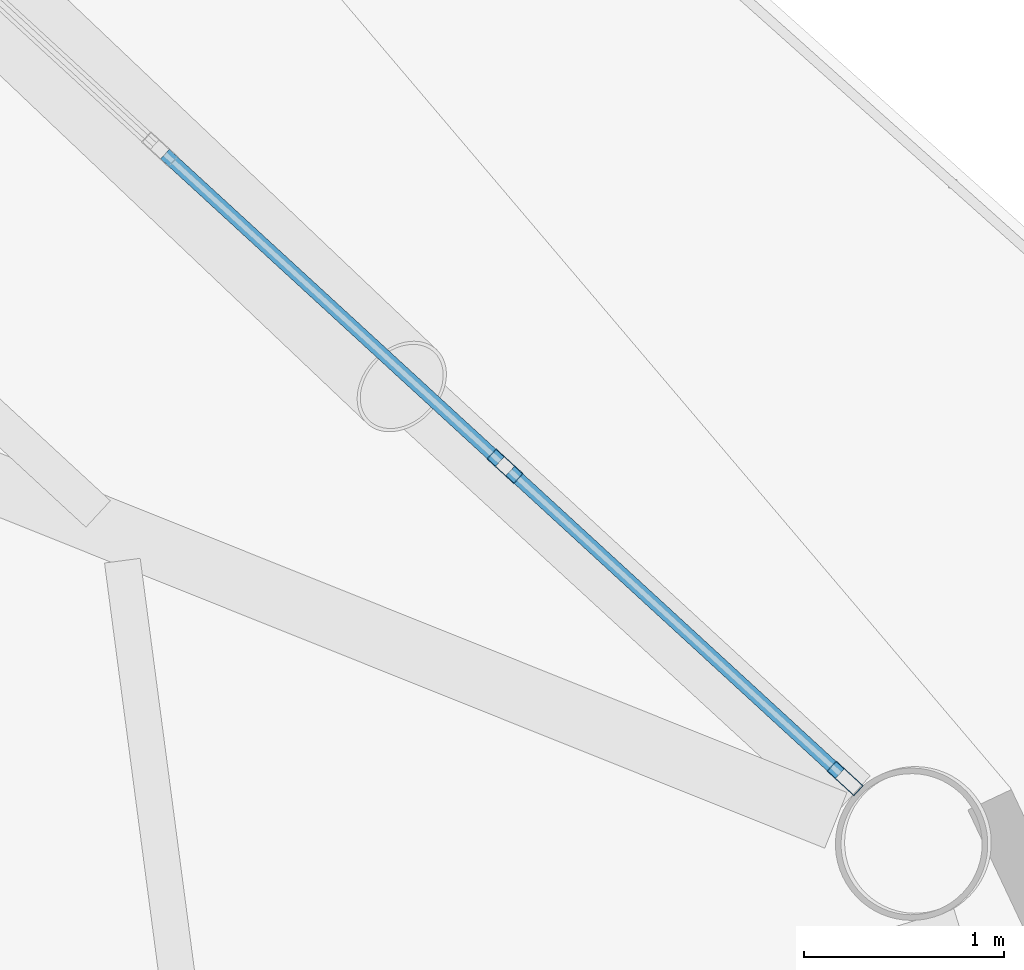
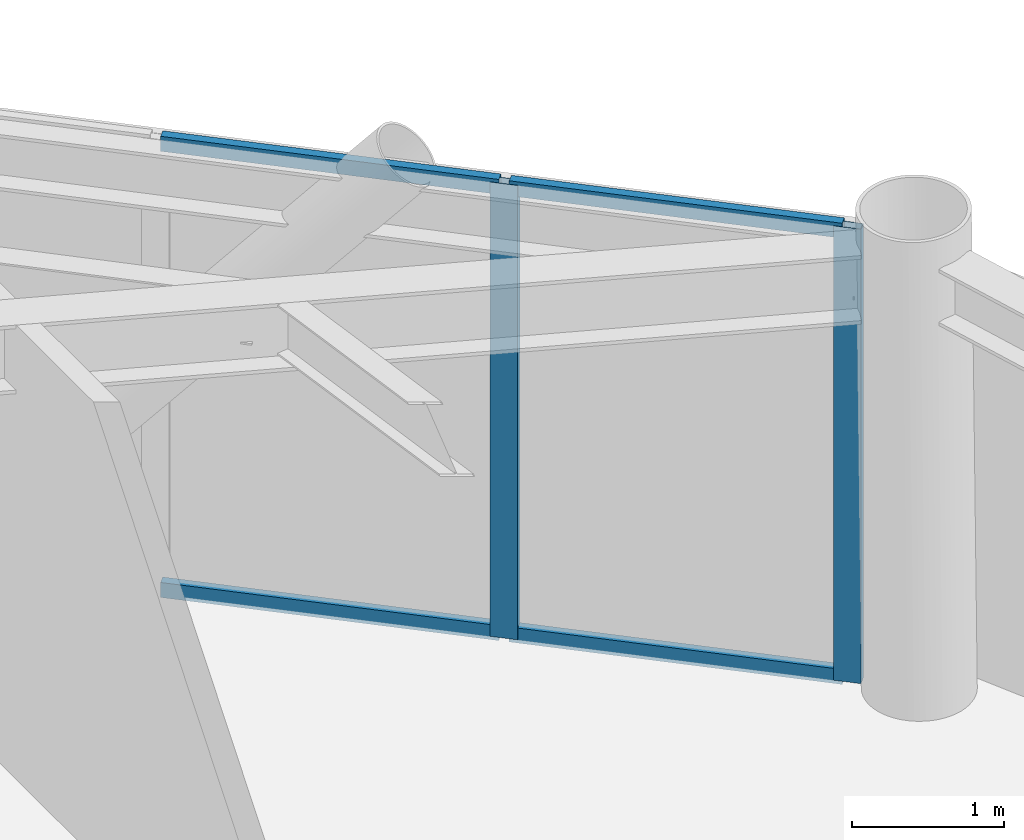
# One storey, part 14 of 23: 6 members, 1 element without a shape of its own.
"""IFC4 building model written with IfcOpenShell, lengths in metres."""

from ifc_helpers import new_model, si_unit, direction, frame, origin, origin_2d, place, context, subcontext, project, spatial, hollow_rectangle, extrude, material, layer, layer_set, material_profile, profile_set, type_object, element, aggregate, save


model = new_model("IFC4")

# Units and contexts
model_context = context("Model", 3, precision=1e-05, world=origin(), true_north=direction((0.0, 1.0)))
body_context = subcontext(model_context, "Body", "Model", "MODEL_VIEW")
ifc_project = project(units=[si_unit("LENGTHUNIT", "METRE"), si_unit("AREAUNIT", "SQUARE_METRE"), si_unit("VOLUMEUNIT", "CUBIC_METRE"), si_unit("PLANEANGLEUNIT", "RADIAN"), si_unit("MASSUNIT", "GRAM", prefix="KILO")], contexts=[model_context])

# Site, building, storey
site_placement = place(None, origin())
site = spatial("IfcSite", under=ifc_project, at=site_placement, CompositionType="ELEMENT")
building_placement = place(site_placement, origin())
building = spatial("IfcBuilding", under=site, at=building_placement, Name="Varnakorn Sky Granary", CompositionType="ELEMENT")
storey_placement = place(building_placement, frame((0.0, 0.0, 150.0)))
storey = spatial("IfcBuildingStorey", under=building, at=storey_placement, Name="L37", CompositionType="ELEMENT", Elevation=150.0)

# Curtain wall, members
ifc_material = material(Name="Anodised Bronze Aluminium Alloy 6063-T6", Category="aluminium")
ifc_layer = layer(ifc_material, 0.179931640625, Name="Anodised Bronze Aluminium Alloy 6063-T6")
ifc_layer_set = layer_set([ifc_layer], Name="Anodised Bronze Aluminium Alloy 6063-T6")
curtain_wall_type = type_object("IfcCurtainWallType", Name="CW-FRM-2", PredefinedType="USERDEFINED", material=ifc_layer_set)
curtain_wall_placement = place(storey_placement, origin())
curtain_wall = element("IfcCurtainWall", 1, at=curtain_wall_placement, inside=storey, type_object=curtain_wall_type, Name="Unitised Curtain Wall CW4 CW-L37-B02", ObjectType="CURTAIN WALL", PredefinedType="USERDEFINED")
ifc_material_profile_1 = material_profile(ifc_material, hollow_rectangle(XDim=0.070068359375, YDim=0.18505859375, WallThickness=0.00390625, at=origin_2d()), Name="ALU MULL 70x185")
ifc_profile_set_1 = profile_set([ifc_material_profile_1], Name="Anodised Bronze Aluminium Alloy 6063-T6")
member_type_1 = type_object("IfcMemberType", Name="CW-FRM-2-MULL", PredefinedType="MULLION", material=ifc_profile_set_1)
member_1_placement = place(storey_placement, frame((14.329833984375, 11.35986328125, 0.0), z_axis=(0.0, 0.0, 1.0), x_axis=(0.676226227357, 0.736694027012, 0.0)))
member_1 = element("IfcMember", 2, at=member_1_placement, type_object=member_type_1, Name="CW4 mullion 4", PredefinedType="MULLION", context=body_context, shape_type="SweptSolid", body=[
    extrude(hollow_rectangle(XDim=0.070068359375, YDim=0.18505859375, WallThickness=0.00390625, at=origin_2d()), origin(), (0.0, 0.0, 1.0), 3.639892578125),
])
member_2_placement = place(storey_placement, frame((16.031005859375, 9.79833984375, 0.0), z_axis=(0.0, 0.0, 1.0), x_axis=(0.676226227357, 0.736694027012, 0.0)))
member_2 = element("IfcMember", 3, at=member_2_placement, type_object=member_type_1, Name="CW4 mullion 5", PredefinedType="MULLION", context=body_context, shape_type="SweptSolid", body=[
    extrude(hollow_rectangle(XDim=0.070068359375, YDim=0.18505859375, WallThickness=0.00390625, at=origin_2d()), origin(), (0.0, 0.0, 1.0), 3.639892578125),
])
ifc_material_profile_2 = material_profile(ifc_material, hollow_rectangle(XDim=0.06494140625, YDim=0.1201171875, WallThickness=0.00341796875, at=origin_2d()), Name="ALU TRAN 65x120")
ifc_profile_set_2 = profile_set([ifc_material_profile_2], Name="Anodised Bronze Aluminium Alloy 6063-T6")
member_type_2 = type_object("IfcMemberType", Name="CW-FRM-2-TRAN", PredefinedType="USERDEFINED", material=ifc_profile_set_2)
member_3_placement = place(storey_placement, frame((12.628662109375, 12.92138671875, 0.032470703125), z_axis=(0.736681590659, -0.676239775512, 0.0), x_axis=(0.676239775512, 0.736681590659, 0.0)))
member_3 = element("IfcMember", 4, at=member_3_placement, type_object=member_type_2, Name="CW4 transom 3.1", ObjectType="TRANSOM", PredefinedType="USERDEFINED", context=body_context, shape_type="SweptSolid", body=[
    extrude(hollow_rectangle(XDim=0.06494140625, YDim=0.1201171875, WallThickness=0.00341796875, at=origin_2d()), origin(), (0.0, 0.0, 1.0), 2.274169921875),
])
member_4_placement = place(storey_placement, frame((12.628662109375, 12.92138671875, 3.607421875), z_axis=(0.736681590659, -0.676239775512, 0.0), x_axis=(0.676239775512, 0.736681590659, 0.0)))
member_4 = element("IfcMember", 5, at=member_4_placement, type_object=member_type_2, Name="CW4 transom 3.2", ObjectType="TRANSOM", PredefinedType="USERDEFINED", context=body_context, shape_type="SweptSolid", body=[
    extrude(hollow_rectangle(XDim=0.06494140625, YDim=0.1201171875, WallThickness=0.00341796875, at=origin_2d()), origin(), (0.0, 0.0, 1.0), 2.274169921875),
])
member_5_placement = place(storey_placement, frame((14.355712890625, 11.336181640625, 0.032470703125), z_axis=(0.73666512499, -0.676257712432, 0.0), x_axis=(0.676257712432, 0.73666512499, 0.0)))
member_5 = element("IfcMember", 6, at=member_5_placement, type_object=member_type_2, Name="CW4 transom 4.1", ObjectType="TRANSOM", PredefinedType="USERDEFINED", context=body_context, shape_type="SweptSolid", body=[
    extrude(hollow_rectangle(XDim=0.06494140625, YDim=0.1201171875, WallThickness=0.00341796875, at=origin_2d()), origin(), (0.0, 0.0, 1.0), 2.239013671875),
])
member_6_placement = place(storey_placement, frame((14.355712890625, 11.336181640625, 3.607421875), z_axis=(0.73666512499, -0.676257712432, 0.0), x_axis=(0.676257712432, 0.73666512499, 0.0)))
member_6 = element("IfcMember", 7, at=member_6_placement, type_object=member_type_2, Name="CW4 transom 4.2", ObjectType="TRANSOM", PredefinedType="USERDEFINED", context=body_context, shape_type="SweptSolid", body=[
    extrude(hollow_rectangle(XDim=0.06494140625, YDim=0.1201171875, WallThickness=0.00341796875, at=origin_2d()), origin(), (0.0, 0.0, 1.0), 2.239013671875),
])
aggregate(curtain_wall, [member_1, member_2, member_3, member_4, member_5, member_6])

save(model, "model.ifc")
